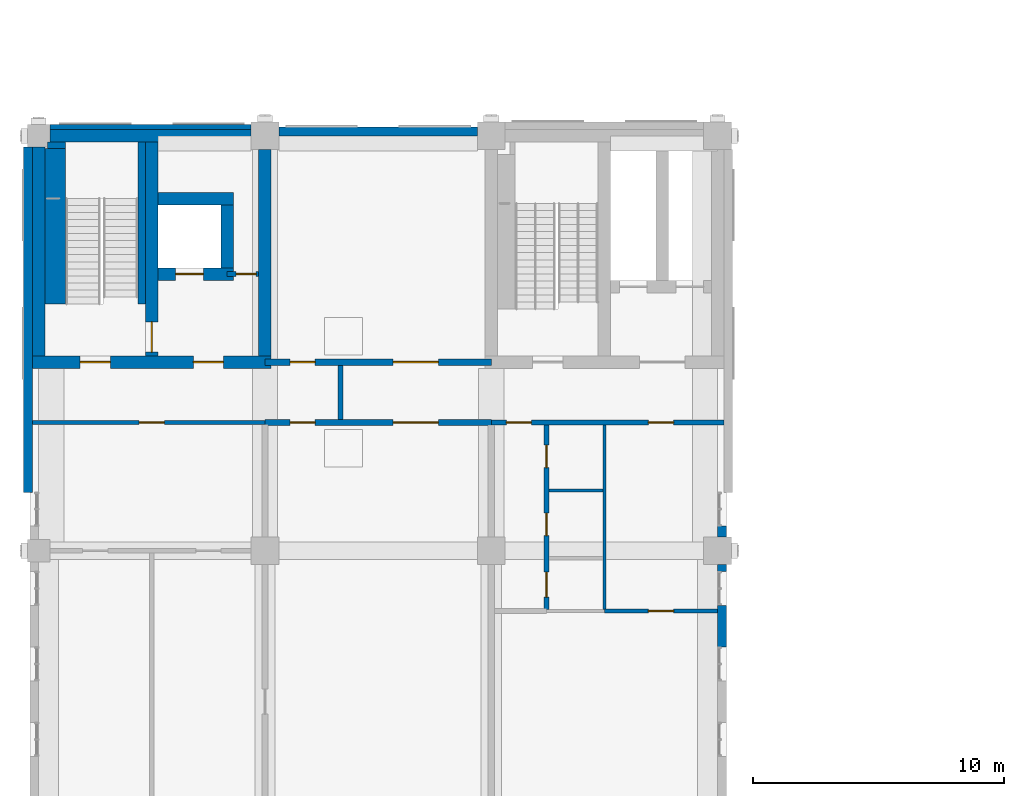
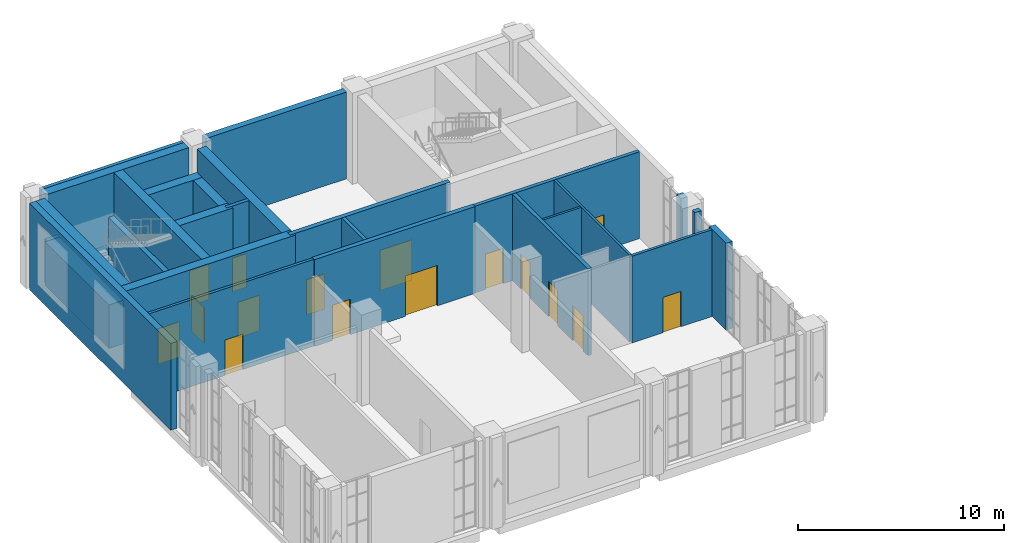
# One storey, part 14 of 25: 27 walls, 16 doors, 16 openings.
"""IFC4 building model written with IfcOpenShell, lengths in metres."""

from ifc_helpers import new_model, si_unit, direction, frame, frame_2d, origin, place, context, subcontext, project, spatial, rectangle, extrude, material, layer, layer_set, type_object, element, fill, save


model = new_model("IFC4")

# Units and contexts
model_context = context("Model", 3, precision=1e-05, world=origin(), true_north=direction((0.0, 1.0)))
body_context = subcontext(model_context, "Body", "Model", "MODEL_VIEW")
ifc_project = project(units=[si_unit("LENGTHUNIT", "METRE"), si_unit("AREAUNIT", "SQUARE_METRE"), si_unit("VOLUMEUNIT", "CUBIC_METRE"), si_unit("PLANEANGLEUNIT", "RADIAN"), si_unit("MASSUNIT", "GRAM", prefix="KILO")], contexts=[model_context])

# Site, building, storey
site_placement = place(None, origin())
site = spatial("IfcSite", under=ifc_project, at=site_placement, CompositionType="ELEMENT")
building_placement = place(site_placement, origin())
building = spatial("IfcBuilding", under=site, at=building_placement, Name="Aurelan Courthouse", CompositionType="ELEMENT")
storey_placement = place(building_placement, frame((0.0, 0.0, 33.60009765625)))
storey = spatial("IfcBuildingStorey", under=building, at=storey_placement, Name="L06", CompositionType="ELEMENT", Elevation=33.60009765625)

# Wall, opening, door
ifc_material_1 = material(Name="Gypsum board on metal studs")
ifc_layer_1 = layer(ifc_material_1, 0.14990234375)
ifc_layer_set_1 = layer_set([ifc_layer_1], Name="Gypsum board on metal studs")
wall_type_1 = type_object("IfcWallType", Name="Corridor partition 150 EI 60", PredefinedType="PARTITIONING", material=ifc_layer_set_1)
wall_1_placement = place(storey_placement, frame((-0.25, 17.10009765625, 0.0), z_axis=(0.0, 0.0, 1.0), x_axis=(1.0, 0.0, 0.0)))
wall_1 = element("IfcWall", 1, at=wall_1_placement, inside=storey, type_object=wall_type_1, Name="Corridor partition L06-007", PredefinedType="PARTITIONING", context=body_context, shape_type="SweptSolid", body=[
    extrude(rectangle(XDim=9.25, YDim=0.14990234375, at=frame_2d((4.625, 0.0))), origin(), (0.0, 0.0, 1.0), 5.14990234375),
])
opening_1_placement = place(wall_1_placement, frame((5.25, 0.0, 0.0), z_axis=(0.0, 0.0, 1.0), x_axis=(-1.0, 0.0, 0.0)))
opening_1 = element("IfcOpeningElement", 2, at=opening_1_placement, cuts=wall_1, Name="Opening D-L06-048", PredefinedType="OPENING", context=body_context, shape_type="SweptSolid", body=[
    extrude(rectangle(XDim=1.0, YDim=2.10009765625, at=frame_2d((0.5, 1.050048828125))), frame((0.0, 0.0849609375, 0.0), z_axis=(0.0, -1.0, 0.0), x_axis=(1.0, 0.0, 0.0)), (0.0, 0.0, 1.0), 0.169921875),
])
ifc_material_2 = material(Name="Steel", Category="steel")
door_type_1 = type_object("IfcDoorType", Name="Single door 1000 x 2100 FD60", OperationType="SINGLE_SWING_LEFT", PredefinedType="DOOR", material=ifc_material_2)
door_1_placement = place(opening_1_placement, origin())
door_1 = element("IfcDoor", 3, at=door_1_placement, inside=storey, type_object=door_type_1, Name="Single door D-L06-048", OperationType="SINGLE_SWING_LEFT", OverallHeight=2.10009765625, OverallWidth=1.0, PredefinedType="DOOR", context=body_context, shape_type="SweptSolid", body=[
    extrude(rectangle(XDim=1.0, YDim=2.10009765625, at=frame_2d((0.5, 1.050048828125))), frame((0.0, 0.02490234375, 0.0), z_axis=(0.0, -1.0, 0.0), x_axis=(1.0, 0.0, 0.0)), (0.0, 0.0, 1.0), 0.050048828125),
])
fill(opening_1, door_1)

# Wall, openings, doors
ifc_material_3 = material(Name="Masonry block", Category="masonry")
ifc_layer_2 = layer(ifc_material_3, 0.25)
ifc_layer_set_2 = layer_set([ifc_layer_2], Name="Masonry block")
wall_type_2 = type_object("IfcWallType", Name="Courtroom wall 250 EI 60", PredefinedType="PARTITIONING", material=ifc_layer_set_2)
wall_2_placement = place(storey_placement, frame((9.0, 17.10009765625, 0.0), z_axis=(0.0, 0.0, 1.0), x_axis=(1.0, 0.0, 0.0)))
wall_2 = element("IfcWall", 4, at=wall_2_placement, inside=storey, type_object=wall_type_2, Name="Courtroom wall L06-008", PredefinedType="PARTITIONING", context=body_context, shape_type="SweptSolid", body=[
    extrude(rectangle(XDim=9.0, YDim=0.25, at=frame_2d((4.5, 0.0))), origin(), (0.0, 0.0, 1.0), 5.14990234375),
])
opening_2_placement = place(wall_2_placement, frame((6.900146484375, 0.0, 0.0), z_axis=(0.0, 0.0, 1.0), x_axis=(-1.0, 0.0, 0.0)))
opening_2 = element("IfcOpeningElement", 5, at=opening_2_placement, cuts=wall_2, Name="Opening D-L06-044", PredefinedType="OPENING", context=body_context, shape_type="SweptSolid", body=[
    extrude(rectangle(XDim=1.800048828125, YDim=2.39990234375, at=frame_2d((0.89990234375, 1.199951171875))), frame((0.0, 0.135009765625, 0.0), z_axis=(0.0, -1.0, 0.0), x_axis=(1.0, 0.0, 0.0)), (0.0, 0.0, 1.0), 0.27001953125),
])
opening_3_placement = place(wall_2_placement, frame((2.0, 0.0, 0.0), z_axis=(0.0, 0.0, 1.0), x_axis=(-1.0, 0.0, 0.0)))
opening_3 = element("IfcOpeningElement", 6, at=opening_3_placement, cuts=wall_2, Name="Opening D-L06-045", PredefinedType="OPENING", context=body_context, shape_type="SweptSolid", body=[
    extrude(rectangle(XDim=1.0, YDim=2.10009765625, at=frame_2d((0.5, 1.050048828125))), frame((0.0, 0.135009765625, 0.0), z_axis=(0.0, -1.0, 0.0), x_axis=(1.0, 0.0, 0.0)), (0.0, 0.0, 1.0), 0.27001953125),
])
door_type_2 = type_object("IfcDoorType", Name="Double door 1800 x 2400 FD30", OperationType="DOUBLE_DOOR_SINGLE_SWING", PredefinedType="DOOR", material=ifc_material_2)
door_2_placement = place(opening_2_placement, origin())
door_2 = element("IfcDoor", 7, at=door_2_placement, inside=storey, type_object=door_type_2, Name="Double door D-L06-044", OperationType="DOUBLE_DOOR_SINGLE_SWING", OverallHeight=2.39990234375, OverallWidth=1.800048828125, PredefinedType="DOOR", context=body_context, shape_type="SweptSolid", body=[
    extrude(rectangle(XDim=1.800048828125, YDim=2.39990234375, at=frame_2d((0.89990234375, 1.199951171875))), frame((0.0, 0.02490234375, 0.0), z_axis=(0.0, -1.0, 0.0), x_axis=(1.0, 0.0, 0.0)), (0.0, 0.0, 1.0), 0.050048828125),
])
fill(opening_2, door_2)
door_type_3 = type_object("IfcDoorType", Name="Single door 1000 x 2100 FD30", OperationType="SINGLE_SWING_LEFT", PredefinedType="DOOR", material=ifc_material_2)
door_3_placement = place(opening_3_placement, origin())
door_3 = element("IfcDoor", 8, at=door_3_placement, inside=storey, type_object=door_type_3, Name="Single door D-L06-045", OperationType="SINGLE_SWING_RIGHT", OverallHeight=2.10009765625, OverallWidth=1.0, PredefinedType="DOOR", context=body_context, shape_type="SweptSolid", body=[
    extrude(rectangle(XDim=1.0, YDim=2.10009765625, at=frame_2d((0.5, 1.050048828125))), frame((0.0, 0.02490234375, 0.0), z_axis=(0.0, -1.0, 0.0), x_axis=(1.0, 0.0, 0.0)), (0.0, 0.0, 1.0), 0.050048828125),
])
fill(opening_3, door_3)

wall_3_placement = place(storey_placement, frame((9.0, 19.5, 0.0), z_axis=(0.0, 0.0, 1.0), x_axis=(1.0, 0.0, 0.0)))
wall_3 = element("IfcWall", 9, at=wall_3_placement, inside=storey, type_object=wall_type_2, Name="Courtroom wall L06-010", PredefinedType="PARTITIONING", context=body_context, shape_type="SweptSolid", body=[
    extrude(rectangle(XDim=9.0, YDim=0.25, at=frame_2d((4.5, 0.0))), origin(), (0.0, 0.0, 1.0), 5.14990234375),
])
opening_4_placement = place(wall_3_placement, frame((5.10009765625, 0.0, 0.0)))
opening_4 = element("IfcOpeningElement", 10, at=opening_4_placement, cuts=wall_3, Name="Opening D-L06-046", PredefinedType="OPENING", context=body_context, shape_type="SweptSolid", body=[
    extrude(rectangle(XDim=1.800048828125, YDim=2.39990234375, at=frame_2d((0.89990234375, 1.199951171875))), frame((0.0, 0.135009765625, 0.0), z_axis=(0.0, -1.0, 0.0), x_axis=(1.0, 0.0, 0.0)), (0.0, 0.0, 1.0), 0.27001953125),
])
opening_5_placement = place(wall_3_placement, frame((1.0, 0.0, 0.0)))
opening_5 = element("IfcOpeningElement", 11, at=opening_5_placement, cuts=wall_3, Name="Opening D-L06-047", PredefinedType="OPENING", context=body_context, shape_type="SweptSolid", body=[
    extrude(rectangle(XDim=1.0, YDim=2.10009765625, at=frame_2d((0.5, 1.050048828125))), frame((0.0, 0.135009765625, 0.0), z_axis=(0.0, -1.0, 0.0), x_axis=(1.0, 0.0, 0.0)), (0.0, 0.0, 1.0), 0.27001953125),
])
door_4_placement = place(opening_4_placement, origin())
door_4 = element("IfcDoor", 12, at=door_4_placement, inside=storey, type_object=door_type_2, Name="Double door D-L06-046", OperationType="DOUBLE_DOOR_SINGLE_SWING", OverallHeight=2.39990234375, OverallWidth=1.800048828125, PredefinedType="DOOR", context=body_context, shape_type="SweptSolid", body=[
    extrude(rectangle(XDim=1.800048828125, YDim=2.39990234375, at=frame_2d((0.89990234375, 1.199951171875))), frame((0.0, 0.02490234375, 0.0), z_axis=(0.0, -1.0, 0.0), x_axis=(1.0, 0.0, 0.0)), (0.0, 0.0, 1.0), 0.050048828125),
])
fill(opening_4, door_4)
door_5_placement = place(opening_5_placement, origin())
door_5 = element("IfcDoor", 13, at=door_5_placement, inside=storey, type_object=door_type_3, Name="Single door D-L06-047", OperationType="SINGLE_SWING_LEFT", OverallHeight=2.10009765625, OverallWidth=1.0, PredefinedType="DOOR", context=body_context, shape_type="SweptSolid", body=[
    extrude(rectangle(XDim=1.0, YDim=2.10009765625, at=frame_2d((0.5, 1.050048828125))), frame((0.0, 0.02490234375, 0.0), z_axis=(0.0, -1.0, 0.0), x_axis=(1.0, 0.0, 0.0)), (0.0, 0.0, 1.0), 0.050048828125),
])
fill(opening_5, door_5)

# Walls
ifc_material_4 = material(Name="Limestone cladding", Category="masonry")
ifc_layer_3 = layer(ifc_material_4, 0.054931640625, Name="Facing")
ifc_material_5 = material(Name="Ventilated cavity")
ifc_layer_4 = layer(ifc_material_5, 0.02490234375, ventilated=True, Name="Ventilated cavity")
ifc_material_6 = material(Name="Mineral wool insulation")
ifc_layer_5 = layer(ifc_material_6, 0.030029296875, Name="Insulation")
ifc_material_7 = material(Name="Concrete C30", Category="concrete")
ifc_layer_6 = layer(ifc_material_7, 0.090087890625, Name="Structure")
ifc_layer_set_3 = layer_set([ifc_layer_3, ifc_layer_4, ifc_layer_5, ifc_layer_6], Name="Concrete C30")
wall_type_3 = type_object("IfcWallType", Name="Courts' Floors stone-faced wall 200", PredefinedType="SOLIDWALL", material=ifc_layer_set_3)
wall_4_placement = place(storey_placement, frame((0.449951171875, 28.85009765625, 0.0), z_axis=(0.0, 0.0, 1.0), x_axis=(1.0, 0.0, 0.0)))
element("IfcWall", 14, at=wall_4_placement, inside=storey, type_object=wall_type_3, Name="Facade wall FW-V5-L06-009", PredefinedType="SOLIDWALL", context=body_context, shape_type="SweptSolid", body=[
    extrude(rectangle(XDim=8.0, YDim=0.199951171875, at=frame_2d((4.0, 0.0))), origin(), (0.0, 0.0, 1.0), 5.14990234375),
])
ifc_layer_7 = layer(ifc_material_4, 0.10009765625, Name="Facing")
ifc_layer_8 = layer(ifc_material_5, 0.02490234375, ventilated=True, Name="Ventilated cavity")
ifc_layer_9 = layer(ifc_material_6, 0.050048828125, Name="Insulation")
ifc_layer_10 = layer(ifc_material_7, 0.175048828125, Name="Structure")
ifc_layer_set_4 = layer_set([ifc_layer_7, ifc_layer_8, ifc_layer_9, ifc_layer_10], Name="Concrete C30")
wall_type_4 = type_object("IfcWallType", Name="Courts' Floors stone-faced wall 350", PredefinedType="SOLIDWALL", material=ifc_layer_set_4)
wall_5_placement = place(storey_placement, frame((9.550048828125, 28.675048828125, 0.0), z_axis=(0.0, 0.0, 1.0), x_axis=(1.0, 0.0, 0.0)))
element("IfcWall", 15, at=wall_5_placement, inside=storey, type_object=wall_type_4, Name="Facade wall FW-V5-L06-010", PredefinedType="SOLIDWALL", context=body_context, shape_type="SweptSolid", body=[
    extrude(rectangle(XDim=7.89990234375, YDim=0.35009765625, at=frame_2d((3.949951171875, 0.0))), origin(), (0.0, 0.0, 1.0), 5.14990234375),
])
wall_6_placement = place(storey_placement, frame((27.175048828125, 8.175048828125, 0.0), z_axis=(0.0, 0.0, 1.0), x_axis=(0.0, 1.0, 0.0)))
element("IfcWall", 16, at=wall_6_placement, inside=storey, type_object=wall_type_4, Name="Facade wall FW-V5-L06-015", PredefinedType="SOLIDWALL", context=body_context, shape_type="SweptSolid", body=[
    extrude(rectangle(XDim=1.64990234375, YDim=0.35009765625, at=frame_2d((0.824951171875, 0.0))), origin(), (0.0, 0.0, 1.0), 5.14990234375),
])
wall_7_placement = place(storey_placement, frame((27.175048828125, 11.175048828125, 0.0), z_axis=(0.0, 0.0, 1.0), x_axis=(0.0, 1.0, 0.0)))
element("IfcWall", 17, at=wall_7_placement, inside=storey, type_object=wall_type_4, Name="Facade wall FW-V5-L06-016", PredefinedType="SOLIDWALL", context=body_context, shape_type="SweptSolid", body=[
    extrude(rectangle(XDim=0.27490234375, YDim=0.35009765625, at=frame_2d((0.137451171875, 0.0))), origin(), (0.0, 0.0, 1.0), 5.14990234375),
])
wall_8_placement = place(storey_placement, frame((27.175048828125, 12.550048828125, 0.0), z_axis=(0.0, 0.0, 1.0), x_axis=(0.0, 1.0, 0.0)))
element("IfcWall", 18, at=wall_8_placement, inside=storey, type_object=wall_type_4, Name="Facade wall FW-V5-L06-017", PredefinedType="SOLIDWALL", context=body_context, shape_type="SweptSolid", body=[
    extrude(rectangle(XDim=0.425048828125, YDim=0.35009765625, at=frame_2d((0.21240234375, 0.0))), origin(), (0.0, 0.0, 1.0), 5.14990234375),
])
wall_9_placement = place(storey_placement, frame((-0.425048828125, 14.324951171875, 0.0), z_axis=(0.0, 0.0, 1.0), x_axis=(0.0, 1.0, 0.0)))
element("IfcWall", 19, at=wall_9_placement, inside=storey, type_object=wall_type_4, Name="Facade wall FW-V5-L06-025", PredefinedType="SOLIDWALL", context=body_context, shape_type="SweptSolid", body=[
    extrude(rectangle(XDim=13.72509765625, YDim=0.35009765625, at=frame_2d((6.862548828125, 0.0))), origin(), (0.0, 0.0, 1.0), 5.14990234375),
])

# Wall, openings, doors
ifc_layer_11 = layer(ifc_material_3, 0.199951171875)
ifc_layer_set_5 = layer_set([ifc_layer_11], Name="Masonry block")
wall_type_5 = type_object("IfcWallType", Name="Lift lobby wall 200 EI 60", PredefinedType="PARTITIONING", material=ifc_layer_set_5)
wall_10_placement = place(storey_placement, frame((18.0, 17.10009765625, 0.0), z_axis=(0.0, 0.0, 1.0), x_axis=(1.0, 0.0, 0.0)))
wall_10 = element("IfcWall", 20, at=wall_10_placement, inside=storey, type_object=wall_type_5, Name="Lift lobby wall L06-009", PredefinedType="PARTITIONING", context=body_context, shape_type="SweptSolid", body=[
    extrude(rectangle(XDim=9.25, YDim=0.199951171875, at=frame_2d((4.625, 0.0))), origin(), (0.0, 0.0, 1.0), 5.14990234375),
])
opening_6_placement = place(wall_10_placement, frame((7.25, 0.0, 0.0), z_axis=(0.0, 0.0, 1.0), x_axis=(-1.0, 0.0, 0.0)))
opening_6 = element("IfcOpeningElement", 21, at=opening_6_placement, cuts=wall_10, Name="Opening D-L06-052", PredefinedType="OPENING", context=body_context, shape_type="SweptSolid", body=[
    extrude(rectangle(XDim=1.0, YDim=2.10009765625, at=frame_2d((0.5, 1.050048828125))), frame((0.0, 0.10986328125, 0.0), z_axis=(0.0, -1.0, 0.0), x_axis=(1.0, 0.0, 0.0)), (0.0, 0.0, 1.0), 0.219970703125),
])
opening_7_placement = place(wall_10_placement, frame((0.60009765625, 0.0, 0.0)))
opening_7 = element("IfcOpeningElement", 22, at=opening_7_placement, cuts=wall_10, Name="Opening D-L06-053", PredefinedType="OPENING", context=body_context, shape_type="SweptSolid", body=[
    extrude(rectangle(XDim=1.0, YDim=2.10009765625, at=frame_2d((0.5, 1.050048828125))), frame((0.0, 0.10986328125, 0.0), z_axis=(0.0, -1.0, 0.0), x_axis=(1.0, 0.0, 0.0)), (0.0, 0.0, 1.0), 0.219970703125),
])
door_6_placement = place(opening_6_placement, origin())
door_6 = element("IfcDoor", 23, at=door_6_placement, inside=storey, type_object=door_type_1, Name="Single door D-L06-052", OperationType="SINGLE_SWING_RIGHT", OverallHeight=2.10009765625, OverallWidth=1.0, PredefinedType="DOOR", context=body_context, shape_type="SweptSolid", body=[
    extrude(rectangle(XDim=1.0, YDim=2.10009765625, at=frame_2d((0.5, 1.050048828125))), frame((0.0, 0.02490234375, 0.0), z_axis=(0.0, -1.0, 0.0), x_axis=(1.0, 0.0, 0.0)), (0.0, 0.0, 1.0), 0.050048828125),
])
fill(opening_6, door_6)
door_7_placement = place(opening_7_placement, origin())
door_7 = element("IfcDoor", 24, at=door_7_placement, inside=storey, type_object=door_type_1, Name="Single door D-L06-053", OperationType="SINGLE_SWING_LEFT", OverallHeight=2.10009765625, OverallWidth=1.0, PredefinedType="DOOR", context=body_context, shape_type="SweptSolid", body=[
    extrude(rectangle(XDim=1.0, YDim=2.10009765625, at=frame_2d((0.5, 1.050048828125))), frame((0.0, 0.02490234375, 0.0), z_axis=(0.0, -1.0, 0.0), x_axis=(1.0, 0.0, 0.0)), (0.0, 0.0, 1.0), 0.050048828125),
])
fill(opening_7, door_7)

# Wall
wall_11_placement = place(storey_placement, frame((12.0, 17.22509765625, 0.0), z_axis=(0.0, 0.0, 1.0), x_axis=(0.0, 1.0, 0.0)))
element("IfcWall", 25, at=wall_11_placement, inside=storey, type_object=wall_type_5, Name="Lift lobby wall L06-034", PredefinedType="PARTITIONING", context=body_context, shape_type="SweptSolid", body=[
    extrude(rectangle(XDim=2.14990234375, YDim=0.199951171875, at=frame_2d((1.074951171875, 0.0))), origin(), (0.0, 0.0, 1.0), 5.14990234375),
])

# Wall, openings, doors
wall_12_placement = place(storey_placement, frame((20.199951171875, 9.66259765625, 0.0), z_axis=(0.0, 0.0, 1.0), x_axis=(0.0, 1.0, 0.0)))
wall_12 = element("IfcWall", 26, at=wall_12_placement, inside=storey, type_object=wall_type_5, Name="Lift lobby wall L06-037", PredefinedType="PARTITIONING", context=body_context, shape_type="SweptSolid", body=[
    extrude(rectangle(XDim=7.33740234375, YDim=0.199951171875, at=frame_2d((3.668701171875, 0.0))), origin(), (0.0, 0.0, 1.0), 5.14990234375),
])
opening_8_placement = place(wall_12_placement, frame((6.537353515625, 0.0, 0.0), z_axis=(0.0, 0.0, 1.0), x_axis=(-1.0, 0.0, 0.0)))
opening_8 = element("IfcOpeningElement", 27, at=opening_8_placement, cuts=wall_12, Name="Opening D-L06-055", PredefinedType="OPENING", context=body_context, shape_type="SweptSolid", body=[
    extrude(rectangle(XDim=0.89990234375, YDim=2.10009765625, at=frame_2d((0.449951171875, 1.050048828125))), frame((0.0, 0.10986328125, 0.0), z_axis=(0.0, -1.0, 0.0), x_axis=(1.0, 0.0, 0.0)), (0.0, 0.0, 1.0), 0.219970703125),
])
opening_9_placement = place(wall_12_placement, frame((3.83740234375, 0.0, 0.0), z_axis=(0.0, 0.0, 1.0), x_axis=(-1.0, 0.0, 0.0)))
opening_9 = element("IfcOpeningElement", 28, at=opening_9_placement, cuts=wall_12, Name="Opening D-L06-056", PredefinedType="OPENING", context=body_context, shape_type="SweptSolid", body=[
    extrude(rectangle(XDim=0.89990234375, YDim=2.10009765625, at=frame_2d((0.449951171875, 1.050048828125))), frame((0.0, 0.10986328125, 0.0), z_axis=(0.0, -1.0, 0.0), x_axis=(1.0, 0.0, 0.0)), (0.0, 0.0, 1.0), 0.219970703125),
])
opening_10_placement = place(wall_12_placement, frame((1.487548828125, 0.0, 0.0), z_axis=(0.0, 0.0, 1.0), x_axis=(-1.0, 0.0, 0.0)))
opening_10 = element("IfcOpeningElement", 29, at=opening_10_placement, cuts=wall_12, Name="Opening D-L06-057", PredefinedType="OPENING", context=body_context, shape_type="SweptSolid", body=[
    extrude(rectangle(XDim=1.0, YDim=2.10009765625, at=frame_2d((0.5, 1.050048828125))), frame((0.0, 0.10986328125, 0.0), z_axis=(0.0, -1.0, 0.0), x_axis=(1.0, 0.0, 0.0)), (0.0, 0.0, 1.0), 0.219970703125),
])
door_8_placement = place(opening_10_placement, origin())
door_8 = element("IfcDoor", 30, at=door_8_placement, inside=storey, type_object=door_type_1, Name="Single door D-L06-057", OperationType="SINGLE_SWING_LEFT", OverallHeight=2.10009765625, OverallWidth=1.0, PredefinedType="DOOR", context=body_context, shape_type="SweptSolid", body=[
    extrude(rectangle(XDim=1.0, YDim=2.10009765625, at=frame_2d((0.5, 1.050048828125))), frame((0.0, 0.02490234375, 0.0), z_axis=(0.0, -1.0, 0.0), x_axis=(1.0, 0.0, 0.0)), (0.0, 0.0, 1.0), 0.050048828125),
])
fill(opening_10, door_8)
door_type_4 = type_object("IfcDoorType", Name="Single door 900 x 2100 FD60", OperationType="SINGLE_SWING_LEFT", PredefinedType="DOOR", material=ifc_material_2)
door_9_placement = place(opening_8_placement, origin())
door_9 = element("IfcDoor", 31, at=door_9_placement, inside=storey, type_object=door_type_4, Name="Single door D-L06-055", OperationType="SINGLE_SWING_LEFT", OverallHeight=2.10009765625, OverallWidth=0.89990234375, PredefinedType="DOOR", context=body_context, shape_type="SweptSolid", body=[
    extrude(rectangle(XDim=0.89990234375, YDim=2.10009765625, at=frame_2d((0.449951171875, 1.050048828125))), frame((0.0, 0.02490234375, 0.0), z_axis=(0.0, -1.0, 0.0), x_axis=(1.0, 0.0, 0.0)), (0.0, 0.0, 1.0), 0.050048828125),
])
fill(opening_8, door_9)
door_10_placement = place(opening_9_placement, origin())
door_10 = element("IfcDoor", 32, at=door_10_placement, inside=storey, type_object=door_type_4, Name="Single door D-L06-056", OperationType="SINGLE_SWING_RIGHT", OverallHeight=2.10009765625, OverallWidth=0.89990234375, PredefinedType="DOOR", context=body_context, shape_type="SweptSolid", body=[
    extrude(rectangle(XDim=0.89990234375, YDim=2.10009765625, at=frame_2d((0.449951171875, 1.050048828125))), frame((0.0, 0.02490234375, 0.0), z_axis=(0.0, -1.0, 0.0), x_axis=(1.0, 0.0, 0.0)), (0.0, 0.0, 1.0), 0.050048828125),
])
fill(opening_9, door_10)

# Wall, opening, door
ifc_layer_12 = layer(ifc_material_1, 0.14990234375)
ifc_layer_set_6 = layer_set([ifc_layer_12], Name="Gypsum board on metal studs")
wall_type_6 = type_object("IfcWallType", Name="Partition 150 NOT RATED", PredefinedType="PARTITIONING", material=ifc_layer_set_6)
wall_13_placement = place(storey_placement, frame((22.5, 9.60009765625, 0.0), z_axis=(0.0, 0.0, 1.0), x_axis=(1.0, 0.0, 0.0)))
wall_13 = element("IfcWall", 33, at=wall_13_placement, inside=storey, type_object=wall_type_6, Name="Partition L06-003", PredefinedType="PARTITIONING", context=body_context, shape_type="SweptSolid", body=[
    extrude(rectangle(XDim=4.5, YDim=0.14990234375, at=frame_2d((2.25, 0.0))), origin(), (0.0, 0.0, 1.0), 5.14990234375),
])
opening_11_placement = place(wall_13_placement, frame((2.75, 0.0, 0.0), z_axis=(0.0, 0.0, 1.0), x_axis=(-1.0, 0.0, 0.0)))
opening_11 = element("IfcOpeningElement", 34, at=opening_11_placement, cuts=wall_13, Name="Opening D-L06-054", PredefinedType="OPENING", context=body_context, shape_type="SweptSolid", body=[
    extrude(rectangle(XDim=1.0, YDim=2.10009765625, at=frame_2d((0.5, 1.050048828125))), frame((0.0, 0.0849609375, 0.0), z_axis=(0.0, -1.0, 0.0), x_axis=(1.0, 0.0, 0.0)), (0.0, 0.0, 1.0), 0.169921875),
])
ifc_material_8 = material(Name="Timber", Category="wood")
door_type_5 = type_object("IfcDoorType", Name="Single door 1000 x 2100 NOT RATED", OperationType="SINGLE_SWING_LEFT", PredefinedType="DOOR", material=ifc_material_8)
door_11_placement = place(opening_11_placement, origin())
door_11 = element("IfcDoor", 35, at=door_11_placement, inside=storey, type_object=door_type_5, Name="Single door D-L06-054", OperationType="SINGLE_SWING_LEFT", OverallHeight=2.10009765625, OverallWidth=1.0, PredefinedType="DOOR", context=body_context, shape_type="SweptSolid", body=[
    extrude(rectangle(XDim=1.0, YDim=2.10009765625, at=frame_2d((0.5, 1.050048828125))), frame((0.0, 0.02490234375, 0.0), z_axis=(0.0, -1.0, 0.0), x_axis=(1.0, 0.0, 0.0)), (0.0, 0.0, 1.0), 0.050048828125),
])
fill(opening_11, door_11)

# Wall, openings, doors
ifc_material_9 = material(Name="Concrete C50", Category="concrete")
ifc_layer_13 = layer(ifc_material_9, 0.5)
ifc_layer_set_7 = layer_set([ifc_layer_13], Name="Concrete C50")
wall_type_7 = type_object("IfcWallType", Name="RC shear wall 500", PredefinedType="SHEAR", material=ifc_layer_set_7)
wall_14_placement = place(storey_placement, frame((-0.25, 19.5, 0.0), z_axis=(0.0, 0.0, 1.0), x_axis=(1.0, 0.0, 0.0)))
wall_14 = element("IfcWall", 36, at=wall_14_placement, inside=storey, type_object=wall_type_7, Name="Core wall SW-L06-001", PredefinedType="SHEAR", context=body_context, shape_type="SweptSolid", body=[
    extrude(rectangle(XDim=9.5, YDim=0.5, at=frame_2d((4.75, 0.0))), origin(), (0.0, 0.0, 1.0), 5.14990234375),
])
opening_12_placement = place(wall_14_placement, frame((1.89990234375, 0.0, 0.0)))
opening_12 = element("IfcOpeningElement", 37, at=opening_12_placement, cuts=wall_14, Name="Opening D-L06-035", PredefinedType="OPENING", context=body_context, shape_type="SweptSolid", body=[
    extrude(rectangle(XDim=1.199951171875, YDim=2.10009765625, at=frame_2d((0.60009765625, 1.050048828125))), frame((0.0, 0.260009765625, 0.0), z_axis=(0.0, -1.0, 0.0), x_axis=(1.0, 0.0, 0.0)), (0.0, 0.0, 1.0), 0.52001953125),
])
opening_13_placement = place(wall_14_placement, frame((6.39990234375, 0.0, 0.0)))
opening_13 = element("IfcOpeningElement", 38, at=opening_13_placement, cuts=wall_14, Name="Opening D-L06-037", PredefinedType="OPENING", context=body_context, shape_type="SweptSolid", body=[
    extrude(rectangle(XDim=1.199951171875, YDim=2.10009765625, at=frame_2d((0.60009765625, 1.050048828125))), frame((0.0, 0.260009765625, 0.0), z_axis=(0.0, -1.0, 0.0), x_axis=(1.0, 0.0, 0.0)), (0.0, 0.0, 1.0), 0.52001953125),
])
door_type_6 = type_object("IfcDoorType", Name="Single door 1200 x 2100 FD90", OperationType="SINGLE_SWING_LEFT", PredefinedType="DOOR", material=ifc_material_2)
door_12_placement = place(opening_12_placement, origin())
door_12 = element("IfcDoor", 39, at=door_12_placement, inside=storey, type_object=door_type_6, Name="Single door D-L06-035", OperationType="SINGLE_SWING_RIGHT", OverallHeight=2.10009765625, OverallWidth=1.199951171875, PredefinedType="DOOR", context=body_context, shape_type="SweptSolid", body=[
    extrude(rectangle(XDim=1.199951171875, YDim=2.10009765625, at=frame_2d((0.60009765625, 1.050048828125))), frame((0.0, 0.02490234375, 0.0), z_axis=(0.0, -1.0, 0.0), x_axis=(1.0, 0.0, 0.0)), (0.0, 0.0, 1.0), 0.050048828125),
])
fill(opening_12, door_12)
door_13_placement = place(opening_13_placement, origin())
door_13 = element("IfcDoor", 40, at=door_13_placement, inside=storey, type_object=door_type_6, Name="Single door D-L06-037", OperationType="SINGLE_SWING_RIGHT", OverallHeight=2.10009765625, OverallWidth=1.199951171875, PredefinedType="DOOR", context=body_context, shape_type="SweptSolid", body=[
    extrude(rectangle(XDim=1.199951171875, YDim=2.10009765625, at=frame_2d((0.60009765625, 1.050048828125))), frame((0.0, 0.02490234375, 0.0), z_axis=(0.0, -1.0, 0.0), x_axis=(1.0, 0.0, 0.0)), (0.0, 0.0, 1.0), 0.050048828125),
])
fill(opening_13, door_13)

# Wall
wall_15_placement = place(storey_placement, frame((0.0, 19.75, 0.0), z_axis=(0.0, 0.0, 1.0), x_axis=(0.0, 1.0, 0.0)))
element("IfcWall", 41, at=wall_15_placement, inside=storey, type_object=wall_type_7, Name="Core wall SW-L06-003", PredefinedType="SHEAR", context=body_context, shape_type="SweptSolid", body=[
    extrude(rectangle(XDim=8.300048828125, YDim=0.5, at=frame_2d((4.14990234375, 0.0))), origin(), (0.0, 0.0, 1.0), 5.14990234375),
])

# Wall, opening, door
wall_16_placement = place(storey_placement, frame((4.5, 19.75, 0.0), z_axis=(0.0, 0.0, 1.0), x_axis=(0.0, 1.0, 0.0)))
wall_16 = element("IfcWall", 42, at=wall_16_placement, inside=storey, type_object=wall_type_7, Name="Core wall SW-L06-004", PredefinedType="SHEAR", context=body_context, shape_type="SweptSolid", body=[
    extrude(rectangle(XDim=8.5, YDim=0.5, at=frame_2d((4.25, 0.0))), origin(), (0.0, 0.0, 1.0), 5.14990234375),
])
opening_14_placement = place(wall_16_placement, frame((0.14990234375, 0.0, 0.0)))
opening_14 = element("IfcOpeningElement", 43, at=opening_14_placement, cuts=wall_16, Name="Opening D-L06-036", PredefinedType="OPENING", context=body_context, shape_type="SweptSolid", body=[
    extrude(rectangle(XDim=1.199951171875, YDim=2.10009765625, at=frame_2d((0.60009765625, 1.050048828125))), frame((0.0, 0.260009765625, 0.0), z_axis=(0.0, -1.0, 0.0), x_axis=(1.0, 0.0, 0.0)), (0.0, 0.0, 1.0), 0.52001953125),
])
door_14_placement = place(opening_14_placement, origin())
door_14 = element("IfcDoor", 44, at=door_14_placement, inside=storey, type_object=door_type_6, Name="Single door D-L06-036", OperationType="SINGLE_SWING_LEFT", OverallHeight=2.10009765625, OverallWidth=1.199951171875, PredefinedType="DOOR", context=body_context, shape_type="SweptSolid", body=[
    extrude(rectangle(XDim=1.199951171875, YDim=2.10009765625, at=frame_2d((0.60009765625, 1.050048828125))), frame((0.0, 0.02490234375, 0.0), z_axis=(0.0, -1.0, 0.0), x_axis=(1.0, 0.0, 0.0)), (0.0, 0.0, 1.0), 0.050048828125),
])
fill(opening_14, door_14)

# Wall
wall_17_placement = place(storey_placement, frame((9.0, 19.75, 0.0), z_axis=(0.0, 0.0, 1.0), x_axis=(0.0, 1.0, 0.0)))
element("IfcWall", 45, at=wall_17_placement, inside=storey, type_object=wall_type_7, Name="Core wall SW-L06-005", PredefinedType="SHEAR", context=body_context, shape_type="SweptSolid", body=[
    extrude(rectangle(XDim=8.199951171875, YDim=0.5, at=frame_2d((4.10009765625, 0.0))), origin(), (0.0, 0.0, 1.0), 5.14990234375),
])

# Wall, opening, door
wall_18_placement = place(storey_placement, frame((4.75, 23.0, 0.0), z_axis=(0.0, 0.0, 1.0), x_axis=(1.0, 0.0, 0.0)))
wall_18 = element("IfcWall", 46, at=wall_18_placement, inside=storey, type_object=wall_type_7, Name="Core wall SW-L06-011", PredefinedType="SHEAR", context=body_context, shape_type="SweptSolid", body=[
    extrude(rectangle(XDim=3.0, YDim=0.5, at=frame_2d((1.5, 0.0))), origin(), (0.0, 0.0, 1.0), 5.14990234375),
])
opening_15_placement = place(wall_18_placement, frame((0.699951171875, 0.0, 0.0)))
opening_15 = element("IfcOpeningElement", 47, at=opening_15_placement, cuts=wall_18, Name="Opening LD-V5-F1-L06", PredefinedType="OPENING", context=body_context, shape_type="SweptSolid", body=[
    extrude(rectangle(XDim=1.10009765625, YDim=2.10009765625, at=frame_2d((0.550048828125, 1.050048828125))), frame((0.0, 0.260009765625, 0.0), z_axis=(0.0, -1.0, 0.0), x_axis=(1.0, 0.0, 0.0)), (0.0, 0.0, 1.0), 0.52001953125),
])
door_type_7 = type_object("IfcDoorType", Name="Lift landing door 1100 x 2100 FD90", OperationType="SLIDING_TO_LEFT", PredefinedType="DOOR", material=ifc_material_2)
door_15_placement = place(opening_15_placement, origin())
door_15 = element("IfcDoor", 48, at=door_15_placement, inside=storey, type_object=door_type_7, Name="Lift landing door LD-V5-F1-L06", OperationType="SLIDING_TO_LEFT", OverallHeight=2.10009765625, OverallWidth=1.10009765625, PredefinedType="DOOR", context=body_context, shape_type="SweptSolid", body=[
    extrude(rectangle(XDim=1.10009765625, YDim=2.10009765625, at=frame_2d((0.550048828125, 1.050048828125))), frame((0.0, 0.02490234375, 0.0), z_axis=(0.0, -1.0, 0.0), x_axis=(1.0, 0.0, 0.0)), (0.0, 0.0, 1.0), 0.050048828125),
])
fill(opening_15, door_15)

# Walls
wall_19_placement = place(storey_placement, frame((7.5, 23.25, 0.0), z_axis=(0.0, 0.0, 1.0), x_axis=(0.0, 1.0, 0.0)))
element("IfcWall", 49, at=wall_19_placement, inside=storey, type_object=wall_type_7, Name="Core wall SW-L06-012", PredefinedType="SHEAR", context=body_context, shape_type="SweptSolid", body=[
    extrude(rectangle(XDim=2.5, YDim=0.5, at=frame_2d((1.25, 0.0))), origin(), (0.0, 0.0, 1.0), 5.14990234375),
])
wall_20_placement = place(storey_placement, frame((4.75, 26.0, 0.0), z_axis=(0.0, 0.0, 1.0), x_axis=(1.0, 0.0, 0.0)))
element("IfcWall", 50, at=wall_20_placement, inside=storey, type_object=wall_type_7, Name="Core wall SW-L06-013", PredefinedType="SHEAR", context=body_context, shape_type="SweptSolid", body=[
    extrude(rectangle(XDim=3.0, YDim=0.5, at=frame_2d((1.5, 0.0))), origin(), (0.0, 0.0, 1.0), 5.14990234375),
])
wall_21_placement = place(storey_placement, frame((0.449951171875, 28.5, 0.0), z_axis=(0.0, 0.0, 1.0), x_axis=(1.0, 0.0, 0.0)))
element("IfcWall", 51, at=wall_21_placement, inside=storey, type_object=wall_type_7, Name="Core wall SW-L06-014", PredefinedType="SHEAR", context=body_context, shape_type="SweptSolid", body=[
    extrude(rectangle(XDim=8.0, YDim=0.5, at=frame_2d((4.0, 0.0))), origin(), (0.0, 0.0, 1.0), 5.14990234375),
])

# Wall, opening, door
ifc_layer_14 = layer(ifc_material_7, 0.199951171875)
ifc_layer_set_8 = layer_set([ifc_layer_14], Name="Concrete C30")
wall_type_8 = type_object("IfcWallType", Name="Shaft wall 200 EI 120 load-bearing", PredefinedType="SHEAR", material=ifc_layer_set_8)
wall_22_placement = place(storey_placement, frame((7.5, 23.0, 0.0), z_axis=(0.0, 0.0, 1.0), x_axis=(1.0, 0.0, 0.0)))
wall_22 = element("IfcWall", 52, at=wall_22_placement, inside=storey, type_object=wall_type_8, Name="Shaft wall L06-011", PredefinedType="SHEAR", context=body_context, shape_type="SweptSolid", body=[
    extrude(rectangle(XDim=1.25, YDim=0.199951171875, at=frame_2d((0.625, 0.0))), origin(), (0.0, 0.0, 1.0), 5.14990234375),
])
opening_16_placement = place(wall_22_placement, frame((1.150146484375, 0.0, 0.0), z_axis=(0.0, 0.0, 1.0), x_axis=(-1.0, 0.0, 0.0)))
opening_16 = element("IfcOpeningElement", 53, at=opening_16_placement, cuts=wall_22, Name="Opening D-L06-039", PredefinedType="OPENING", context=body_context, shape_type="SweptSolid", body=[
    extrude(rectangle(XDim=0.800048828125, YDim=2.0, at=frame_2d((0.39990234375, 1.0))), frame((0.0, 0.10986328125, 0.0), z_axis=(0.0, -1.0, 0.0), x_axis=(1.0, 0.0, 0.0)), (0.0, 0.0, 1.0), 0.219970703125),
])
door_type_8 = type_object("IfcDoorType", Name="Single door 800 x 2000 FD90", OperationType="SINGLE_SWING_LEFT", PredefinedType="DOOR", material=ifc_material_2)
door_16_placement = place(opening_16_placement, origin())
door_16 = element("IfcDoor", 54, at=door_16_placement, inside=storey, type_object=door_type_8, Name="Single door D-L06-039", OperationType="SINGLE_SWING_LEFT", OverallHeight=2.0, OverallWidth=0.800048828125, PredefinedType="DOOR", context=body_context, shape_type="SweptSolid", body=[
    extrude(rectangle(XDim=0.800048828125, YDim=2.0, at=frame_2d((0.39990234375, 1.0))), frame((0.0, 0.02490234375, 0.0), z_axis=(0.0, -1.0, 0.0), x_axis=(1.0, 0.0, 0.0)), (0.0, 0.0, 1.0), 0.050048828125),
])
fill(opening_16, door_16)

# Walls
ifc_layer_15 = layer(ifc_material_7, 0.2900390625)
ifc_layer_set_9 = layer_set([ifc_layer_15], Name="Concrete C30")
wall_type_9 = type_object("IfcWallType", Name="Stair well wall 290 EI 120 load-bearing", PredefinedType="SHEAR", material=ifc_layer_set_9)
wall_23_placement = place(storey_placement, frame((4.10498046875, 21.81005859375, 0.0), z_axis=(0.0, 0.0, 1.0), x_axis=(0.0, 1.0, 0.0)))
element("IfcWall", 55, at=wall_23_placement, inside=storey, type_object=wall_type_9, Name="Stair well wall ST-5B-L06 B", PredefinedType="SHEAR", context=body_context, shape_type="SweptSolid", body=[
    extrude(rectangle(XDim=6.43994140625, YDim=0.2900390625, at=frame_2d((3.219970703125, 0.0))), origin(), (0.0, 0.0, 1.0), 2.5869140625),
])
ifc_layer_16 = layer(ifc_material_7, 0.7099609375)
ifc_layer_set_10 = layer_set([ifc_layer_16], Name="Concrete C30")
wall_type_10 = type_object("IfcWallType", Name="Stair well wall 710 EI 120 load-bearing", PredefinedType="SHEAR", material=ifc_layer_set_10)
wall_24_placement = place(storey_placement, frame((0.705078125, 28.0, 0.0), z_axis=(0.0, 0.0, 1.0), x_axis=(0.0, 1.0, 0.0)))
element("IfcWall", 56, at=wall_24_placement, inside=storey, type_object=wall_type_10, Name="Stair well wall ST-5B-L06 A2", PredefinedType="SHEAR", context=body_context, shape_type="SweptSolid", body=[
    extrude(rectangle(XDim=0.25, YDim=0.7099609375, at=frame_2d((0.125, 0.0))), origin(), (0.0, 0.0, 1.0), 2.5869140625),
])
ifc_layer_17 = layer(ifc_material_7, 0.81005859375)
ifc_layer_set_11 = layer_set([ifc_layer_17], Name="Concrete C30")
wall_type_11 = type_object("IfcWallType", Name="Stair well wall 810 EI 120 load-bearing", PredefinedType="SHEAR", material=ifc_layer_set_11)
wall_25_placement = place(storey_placement, frame((0.655029296875, 21.81005859375, 0.0), z_axis=(0.0, 0.0, 1.0), x_axis=(0.0, 1.0, 0.0)))
element("IfcWall", 57, at=wall_25_placement, inside=storey, type_object=wall_type_11, Name="Stair well wall ST-5B-L06 A", PredefinedType="SHEAR", context=body_context, shape_type="SweptSolid", body=[
    extrude(rectangle(XDim=6.18994140625, YDim=0.81005859375, at=frame_2d((3.094970703125, 0.0))), origin(), (0.0, 0.0, 1.0), 2.5869140625),
])
ifc_material_10 = material(Name="Moisture-resistant board on metal studs")
ifc_layer_18 = layer(ifc_material_10, 0.125)
ifc_layer_set_12 = layer_set([ifc_layer_18], Name="Moisture-resistant board on metal studs")
wall_type_12 = type_object("IfcWallType", Name="Wet-area partition 125 NOT RATED", PredefinedType="PARTITIONING", material=ifc_layer_set_12)
wall_26_placement = place(storey_placement, frame((20.300048828125, 14.39990234375, 0.0), z_axis=(0.0, 0.0, 1.0), x_axis=(1.0, 0.0, 0.0)))
element("IfcWall", 58, at=wall_26_placement, inside=storey, type_object=wall_type_12, Name="Wet-area partition L06-006", PredefinedType="PARTITIONING", context=body_context, shape_type="SweptSolid", body=[
    extrude(rectangle(XDim=2.137451171875, YDim=0.125, at=frame_2d((1.06884765625, 0.0))), origin(), (0.0, 0.0, 1.0), 5.14990234375),
])
wall_27_placement = place(storey_placement, frame((22.5, 9.66259765625, 0.0), z_axis=(0.0, 0.0, 1.0), x_axis=(0.0, 1.0, 0.0)))
element("IfcWall", 59, at=wall_27_placement, inside=storey, type_object=wall_type_12, Name="Wet-area partition L06-038", PredefinedType="PARTITIONING", context=body_context, shape_type="SweptSolid", body=[
    extrude(rectangle(XDim=7.33740234375, YDim=0.125, at=frame_2d((3.668701171875, 0.0))), origin(), (0.0, 0.0, 1.0), 5.14990234375),
])

save(model, "model.ifc")
